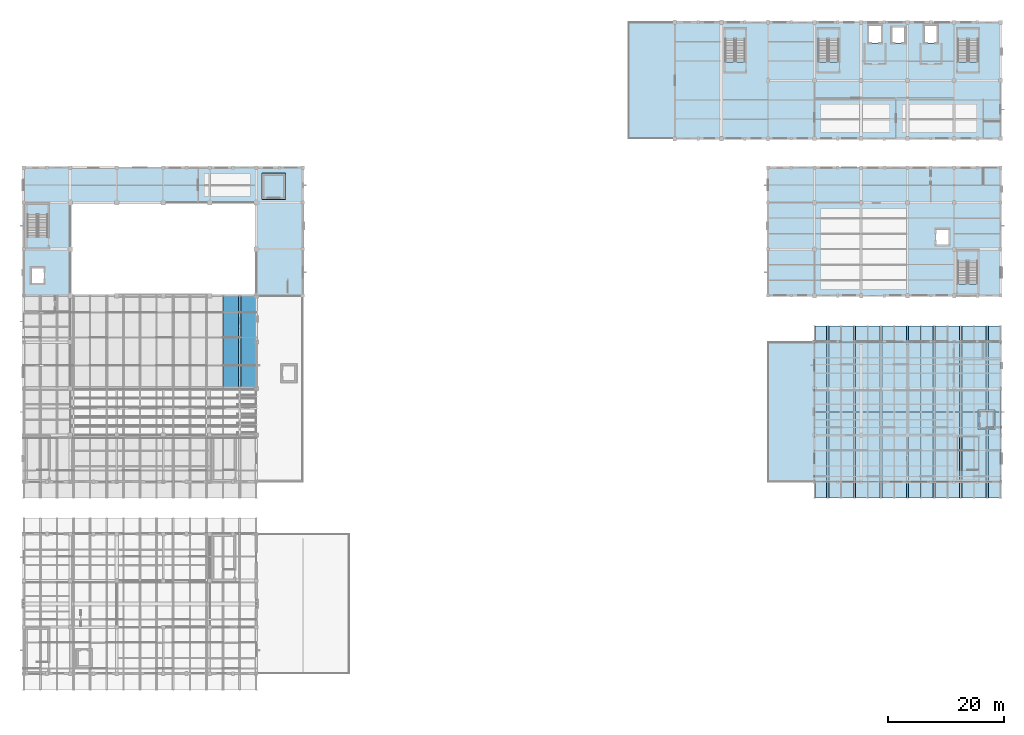
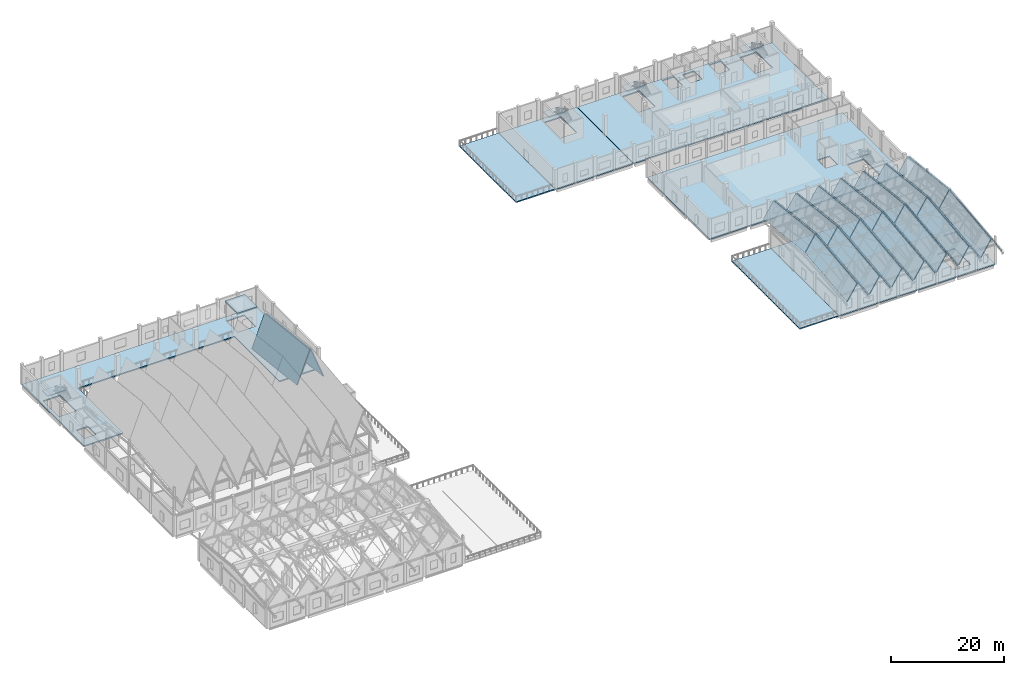
# One storey, part 28 of 77: 44 slabs, 5 elements without a shape of their own.
"""IFC4 building model written with IfcOpenShell, lengths in metres."""

from ifc_helpers import new_model, si_unit, direction, frame, origin, place, context, subcontext, project, spatial, polyline, outline, extrude, material, layer, layer_set, type_object, element, aggregate, save


model = new_model("IFC4")

# Units and contexts
model_context = context("Model", 3, precision=1e-05, world=origin(), true_north=direction((0.0, 1.0)))
body_context = subcontext(model_context, "Body", "Model", "MODEL_VIEW")
ifc_project = project(units=[si_unit("LENGTHUNIT", "METRE"), si_unit("AREAUNIT", "SQUARE_METRE"), si_unit("VOLUMEUNIT", "CUBIC_METRE"), si_unit("PLANEANGLEUNIT", "RADIAN"), si_unit("MASSUNIT", "GRAM", prefix="KILO")], contexts=[model_context])

# Site, building, storey
site_placement = place(None, origin())
site = spatial("IfcSite", under=ifc_project, at=site_placement, CompositionType="ELEMENT")
building_placement = place(site_placement, origin())
building = spatial("IfcBuilding", under=site, at=building_placement, Name="Luwemba Playhouse", CompositionType="ELEMENT")
storey_placement = place(building_placement, frame((0.0, 0.0, 9.300048828125)))
storey = spatial("IfcBuildingStorey", under=building, at=storey_placement, Name="L02", CompositionType="ELEMENT", Elevation=9.300048828125)

# Slabs
ifc_material_1 = material(Name="Concrete C40/50", Category="concrete")
ifc_layer_1 = layer(ifc_material_1, 0.25)
ifc_layer_set_1 = layer_set([ifc_layer_1], Name="Concrete C40/50")
slab_type_1 = type_object("IfcSlabType", Name="SLB-FLR-250", PredefinedType="FLOOR", material=ifc_layer_set_1)
slab_1_placement = place(storey_placement, frame((0.0, 0.0, -0.25)))
element("IfcSlab", 1, at=slab_1_placement, inside=storey, type_object=slab_type_1, Name="L02 V2 structural floor slab", PredefinedType="FLOOR", context=body_context, shape_type="SweptSolid", body=[
    extrude(outline(polyline([(4.0, 90.0), (52.0, 90.0), (52.0, 68.0), (44.0, 68.0), (44.0, 84.0), (12.0, 84.0), (12.0, 68.0), (4.0, 68.0), (4.0, 90.0)]), holes=[polyline([(5.199951171875, 70.0), (7.60009765625, 70.0), (7.60009765625, 72.89990234375), (5.199951171875, 72.89990234375), (5.199951171875, 70.0)]), polyline([(8.14990234375, 78.0400390625), (8.14990234375, 83.659912109375), (4.64990234375, 83.659912109375), (4.64990234375, 78.0400390625), (8.14990234375, 78.0400390625)]), polyline([(45.199951171875, 84.800048828125), (48.800048828125, 84.800048828125), (48.800048828125, 88.800048828125), (45.199951171875, 88.800048828125), (45.199951171875, 84.800048828125)])]), origin(), (0.0, 0.0, 1.0), 0.25),
])
slab_2_placement = place(storey_placement, frame((0.0, 0.0, -0.25)))
element("IfcSlab", 2, at=slab_2_placement, inside=storey, type_object=slab_type_1, Name="L02 V3 structural floor slab", PredefinedType="FLOOR", context=body_context, shape_type="SweptSolid", body=[
    extrude(outline(polyline([(172.0, 60.0), (172.0, 36.0), (140.0, 36.0), (140.0, 60.0), (172.0, 60.0)]), holes=[polyline([(168.14990234375, 43.659912109375), (164.64990234375, 43.659912109375), (164.64990234375, 38.0400390625), (168.14990234375, 38.0400390625), (168.14990234375, 43.659912109375)]), polyline([(170.800048828125, 45.199951171875), (170.800048828125, 48.10009765625), (168.39990234375, 48.10009765625), (168.39990234375, 45.199951171875), (170.800048828125, 45.199951171875)])]), origin(), (0.0, 0.0, 1.0), 0.25),
])
slab_3_placement = place(storey_placement, frame((0.0, 0.0, -0.25)))
element("IfcSlab", 3, at=slab_3_placement, inside=storey, type_object=slab_type_1, Name="L02 V4 structural floor slab", PredefinedType="FLOOR", context=body_context, shape_type="SweptSolid", body=[
    extrude(outline(polyline([(172.0, 90.0), (172.0, 68.0), (132.0, 68.0), (132.0, 90.0), (172.0, 90.0)]), holes=[polyline([(168.050048828125, 75.659912109375), (164.64990234375, 75.659912109375), (164.64990234375, 70.0400390625), (168.050048828125, 70.0400390625), (168.050048828125, 75.659912109375)]), polyline([(163.199951171875, 76.60009765625), (163.199951171875, 79.5), (160.800048828125, 79.5), (160.800048828125, 76.60009765625), (163.199951171875, 76.60009765625)])]), origin(), (0.0, 0.0, 1.0), 0.25),
])
slab_4_placement = place(storey_placement, frame((0.0, 0.0, -0.25)))
element("IfcSlab", 4, at=slab_4_placement, inside=storey, type_object=slab_type_1, Name="L02 V6E structural floor slab-MJ", PredefinedType="FLOOR", context=body_context, shape_type="SweptSolid", body=[
    extrude(outline(polyline([(131.969970703125, 115.0), (131.969970703125, 95.0), (116.0, 95.0), (116.0, 115.0), (131.969970703125, 115.0)]), holes=[polyline([(128.050048828125, 108.199951171875), (128.050048828125, 113.820068359375), (124.64990234375, 113.820068359375), (124.64990234375, 108.199951171875), (128.050048828125, 108.199951171875)])]), origin(), (0.0, 0.0, 1.0), 0.25),
])
slab_5_placement = place(storey_placement, frame((0.0, 0.0, -0.25)))
element("IfcSlab", 5, at=slab_5_placement, inside=storey, type_object=slab_type_1, Name="L02 V6E structural floor slab", PredefinedType="FLOOR", context=body_context, shape_type="SweptSolid", body=[
    extrude(outline(polyline([(172.0, 115.0), (172.0, 95.0), (132.030029296875, 95.0), (132.030029296875, 115.0), (172.0, 115.0)]), holes=[polyline([(140.64990234375, 108.199951171875), (144.14990234375, 108.199951171875), (144.14990234375, 113.820068359375), (140.64990234375, 113.820068359375), (140.64990234375, 108.199951171875)]), polyline([(164.64990234375, 108.199951171875), (168.14990234375, 108.199951171875), (168.14990234375, 113.820068359375), (164.64990234375, 113.820068359375), (164.64990234375, 108.199951171875)]), polyline([(153.199951171875, 111.39990234375), (155.60009765625, 111.39990234375), (155.60009765625, 114.300048828125), (153.199951171875, 114.300048828125), (153.199951171875, 111.39990234375)]), polyline([(149.199951171875, 114.60009765625), (149.199951171875, 111.39990234375), (151.60009765625, 111.39990234375), (151.60009765625, 114.60009765625), (149.199951171875, 114.60009765625)]), polyline([(158.800048828125, 114.60009765625), (158.800048828125, 111.39990234375), (161.199951171875, 111.39990234375), (161.199951171875, 114.60009765625), (158.800048828125, 114.60009765625)])]), origin(), (0.0, 0.0, 1.0), 0.25),
])

# Stair, slab
stair_type_1 = type_object("IfcStairType", Name="STR-DL-04", PredefinedType="HALF_TURN_STAIR", material=ifc_material_1)
stair_1_placement = place(storey_placement, origin())
stair_1 = element("IfcStair", 6, at=stair_1_placement, inside=storey, type_object=stair_type_1, Name="L02 Stage House West Escape Stair", PredefinedType="HALF_TURN_STAIR")
ifc_layer_2 = layer(ifc_material_1, 0.215087890625)
ifc_layer_set_2 = layer_set([ifc_layer_2], Name="Concrete C40/50")
slab_type_2 = type_object("IfcSlabType", Name="SLB-LND-215", PredefinedType="LANDING", material=ifc_layer_set_2)
slab_6_placement = place(storey_placement, frame((0.0, 0.0, 2.050048828125)))
slab_6 = element("IfcSlab", 7, at=slab_6_placement, type_object=slab_type_2, Name="ST-03 landing 1", PredefinedType="LANDING", context=body_context, shape_type="SweptSolid", body=[
    extrude(outline(polyline([(8.2900390625, 81.820068359375), (4.510009765625, 81.820068359375), (4.510009765625, 83.800048828125), (8.2900390625, 83.800048828125), (8.2900390625, 81.820068359375)])), origin(), (0.0, 0.0, 1.0), 0.199951171875),
])
aggregate(stair_1, [slab_6])

stair_type_2 = type_object("IfcStairType", Name="STR-DL-06", PredefinedType="HALF_TURN_STAIR", material=ifc_material_1)
stair_2_placement = place(storey_placement, origin())
stair_2 = element("IfcStair", 8, at=stair_2_placement, inside=storey, type_object=stair_type_2, Name="L02 Black-Box Firefighting Escape Stair", PredefinedType="HALF_TURN_STAIR")
slab_7_placement = place(storey_placement, frame((0.0, 0.0, 2.050048828125)))
slab_7 = element("IfcSlab", 9, at=slab_7_placement, type_object=slab_type_2, Name="ST-07 landing 1", PredefinedType="LANDING", context=body_context, shape_type="SweptSolid", body=[
    extrude(outline(polyline([(168.18994140625, 73.820068359375), (164.510009765625, 73.820068359375), (164.510009765625, 75.800048828125), (168.18994140625, 75.800048828125), (168.18994140625, 73.820068359375)])), origin(), (0.0, 0.0, 1.0), 0.199951171875),
])
aggregate(stair_2, [slab_7])

stair_3_placement = place(storey_placement, origin())
stair_3 = element("IfcStair", 10, at=stair_3_placement, inside=storey, type_object=stair_type_1, Name="L02 Conservatory Firefighting Escape Stair", PredefinedType="HALF_TURN_STAIR")
slab_8_placement = place(storey_placement, frame((0.0, 0.0, 2.050048828125)))
slab_8 = element("IfcSlab", 11, at=slab_8_placement, type_object=slab_type_2, Name="ST-09 landing 1", PredefinedType="LANDING", context=body_context, shape_type="SweptSolid", body=[
    extrude(outline(polyline([(144.2900390625, 111.97998046875), (140.510009765625, 111.97998046875), (140.510009765625, 113.9599609375), (144.2900390625, 113.9599609375), (144.2900390625, 111.97998046875)])), origin(), (0.0, 0.0, 1.0), 0.199951171875),
])
aggregate(stair_3, [slab_8])

stair_4_placement = place(storey_placement, origin())
stair_4 = element("IfcStair", 12, at=stair_4_placement, inside=storey, type_object=stair_type_1, Name="L02 Conservatory East Escape Stair", PredefinedType="HALF_TURN_STAIR")
slab_9_placement = place(storey_placement, frame((0.0, 0.0, 2.050048828125)))
slab_9 = element("IfcSlab", 13, at=slab_9_placement, type_object=slab_type_2, Name="ST-10 landing 1", PredefinedType="LANDING", context=body_context, shape_type="SweptSolid", body=[
    extrude(outline(polyline([(168.2900390625, 111.97998046875), (164.510009765625, 111.97998046875), (164.510009765625, 113.9599609375), (168.2900390625, 113.9599609375), (168.2900390625, 111.97998046875)])), origin(), (0.0, 0.0, 1.0), 0.199951171875),
])
aggregate(stair_4, [slab_9])

stair_5_placement = place(storey_placement, origin())
stair_5 = element("IfcStair", 14, at=stair_5_placement, inside=storey, type_object=stair_type_2, Name="L02 Conservatory West Escape Stair", PredefinedType="HALF_TURN_STAIR")
slab_10_placement = place(storey_placement, frame((0.0, 0.0, 2.050048828125)))
slab_10 = element("IfcSlab", 15, at=slab_10_placement, type_object=slab_type_2, Name="ST-16 landing 1", PredefinedType="LANDING", context=body_context, shape_type="SweptSolid", body=[
    extrude(outline(polyline([(128.18994140625, 111.97998046875), (124.510009765625, 111.97998046875), (124.510009765625, 113.9599609375), (128.18994140625, 113.9599609375), (128.18994140625, 111.97998046875)])), origin(), (0.0, 0.0, 1.0), 0.199951171875),
])
aggregate(stair_5, [slab_10])

# Slabs
ifc_material_2 = material(Name="Concrete C32/40", Category="concrete")
ifc_layer_3 = layer(ifc_material_2, 0.199951171875)
ifc_layer_set_3 = layer_set([ifc_layer_3], Name="Concrete C32/40")
slab_type_3 = type_object("IfcSlabType", Name="SLB-ROOF-200", PredefinedType="ROOF", material=ifc_layer_set_3)
slab_11_placement = place(storey_placement, frame((38.32568359375, 52.06005859375, 10.75146484375), z_axis=(-0.93220282535, 0.040342222635, 0.359680966249), x_axis=(0.359974013471, 0.0, 0.932962330229)))
element("IfcSlab", 16, at=slab_11_placement, inside=storey, type_object=slab_type_3, Name="RF-V1 pleated roof facet 13N", PredefinedType="ROOF", context=body_context, shape_type="SweptSolid", body=[
    extrude(outline(polyline([(0.0, 0.0), (7.266420792508808, 0.0), (5.598431743616359, 15.952928347426106), (-1.667989048892448, 15.952928347426107), (0.0, 0.0)])), origin(), (0.0, 0.0, -1.0), 0.199951171875),
])
slab_12_placement = place(storey_placement, frame((41.344482421875, 52.06005859375, 17.530517578125), z_axis=(0.932207523202, 0.040343594112, 0.359668636525), x_axis=(0.359961702833, -2.43781e-07, -0.932967080069)))
element("IfcSlab", 17, at=slab_12_placement, inside=storey, type_object=slab_type_3, Name="RF-V1 pleated roof facet 14N", PredefinedType="ROOF", context=body_context, shape_type="SweptSolid", body=[
    extrude(outline(polyline([(0.0, 0.0), (7.265877360268832, 2.7755575615628914e-17), (8.934098790442778, 15.952931411265743), (1.6679936550079129, 15.952927865763769), (0.0, 0.0)])), origin(), (0.0, 0.0, -1.0), 0.199951171875),
])
slab_13_placement = place(storey_placement, frame((140.0400390625, 33.199951171875, 4.60986328125), z_axis=(-0.846304719603, -0.059378175191, 0.529379404482), x_axis=(0.53031511393, 0.0, 0.847800613315)))
element("IfcSlab", 18, at=slab_13_placement, inside=storey, type_object=slab_type_3, Name="RF-V3 pleated roof facet 1S", PredefinedType="ROOF", context=body_context, shape_type="SweptSolid", body=[
    extrude(outline(polyline([(0.0, 0.0), (3.8864348801506994, 0.0), (5.288120855094104, 14.766044040054956), (1.4016859749434045, 14.766044040054956), (0.0, 0.0)])), origin(), (0.0, 0.0, -1.0), 0.199951171875),
])
slab_14_placement = place(storey_placement, frame((140.0400390625, 48.06005859375, 6.26318359375), z_axis=(-0.846304719603, 0.059378175191, 0.529379404482), x_axis=(0.53031511393, 0.0, 0.847800613315)))
element("IfcSlab", 19, at=slab_14_placement, inside=storey, type_object=slab_type_3, Name="RF-V3 pleated roof facet 1N", PredefinedType="ROOF", context=body_context, shape_type="SweptSolid", body=[
    extrude(outline(polyline([(0.0, 0.0), (3.8864348801506994, 0.0), (2.4847489052072946, 14.766044040054958), (-1.4016859749434045, 14.766044040054956), (0.0, 0.0)])), origin(), (0.0, 0.0, -1.0), 0.199951171875),
])
slab_15_placement = place(storey_placement, frame((142.47021484375, 33.199951171875, 7.90478515625), z_axis=(0.846276271772, -0.059383212668, 0.529424315543), x_axis=(0.530360263582, 0.0, -0.847772369692)))
element("IfcSlab", 20, at=slab_15_placement, inside=storey, type_object=slab_type_3, Name="RF-V3 pleated roof facet 2S", PredefinedType="ROOF", context=body_context, shape_type="SweptSolid", body=[
    extrude(outline(polyline([(0.0, 0.0), (3.886564357125585, -1.3877787807814457e-17), (2.4849250779378913, 14.766048472635925), (-1.4016392791876937, 14.766048472635925), (0.0, 0.0)])), origin(), (0.0, 0.0, -1.0), 0.199951171875),
])
for number, where, z_axis, x_axis, name in (
    (21, (142.47021484375, 48.06005859375, 9.55810546875), (0.846276271772, 0.059383212668, 0.529424315543), (0.530360263582, 0.0, -0.847772369692), "RF-V3 pleated roof facet 2N"),
    (22, (144.611328125, 33.199951171875, 4.60986328125), (-0.846276271772, -0.059383212668, 0.529424315543), (0.530360263582, 0.0, 0.847772369692), "RF-V3 pleated roof facet 3S"),
):
    element("IfcSlab", number, at=place(storey_placement, frame(where, z_axis=z_axis, x_axis=x_axis)), inside=storey, type_object=slab_type_3, Name=name, PredefinedType="ROOF", context=body_context, shape_type="SweptSolid", body=[
        extrude(outline(polyline([(0.0, 0.0), (3.886564357125585, 1.3877787807814457e-17), (5.288203636313279, 14.766048472635923), (1.4016392791876937, 14.766048472635925), (0.0, 0.0)])), origin(), (0.0, 0.0, -1.0), 0.199951171875),
    ])
slab_16_placement = place(storey_placement, frame((144.611328125, 48.06005859375, 6.26318359375), z_axis=(-0.846276271772, 0.059383212668, 0.529424315543), x_axis=(0.530360263582, 0.0, 0.847772369692)))
element("IfcSlab", 23, at=slab_16_placement, inside=storey, type_object=slab_type_3, Name="RF-V3 pleated roof facet 3N", PredefinedType="ROOF", context=body_context, shape_type="SweptSolid", body=[
    extrude(outline(polyline([(0.0, 0.0), (3.886564357125585, -1.3877787807814457e-17), (2.4849250779378913, 14.766048472635925), (-1.4016392791876937, 14.766048472635925), (0.0, 0.0)])), origin(), (0.0, 0.0, -1.0), 0.199951171875),
])
slab_17_placement = place(storey_placement, frame((147.041748046875, 33.199951171875, 7.90478515625), z_axis=(0.846304719603, -0.059378175191, 0.529379404482), x_axis=(0.53031511393, 0.0, -0.847800613315)))
element("IfcSlab", 24, at=slab_17_placement, inside=storey, type_object=slab_type_3, Name="RF-V3 pleated roof facet 4S", PredefinedType="ROOF", context=body_context, shape_type="SweptSolid", body=[
    extrude(outline(polyline([(0.0, 0.0), (3.8864348801506994, 0.0), (2.4847489052072946, 14.766044040054958), (-1.4016859749434045, 14.766044040054956), (0.0, 0.0)])), origin(), (0.0, 0.0, -1.0), 0.199951171875),
])
for number, where, z_axis, x_axis, name in (
    (25, (147.041748046875, 48.06005859375, 9.55810546875), (0.846304719603, 0.059378175191, 0.529379404482), (0.53031511393, 0.0, -0.847800613315), "RF-V3 pleated roof facet 4N"),
    (26, (149.182861328125, 33.199951171875, 4.60986328125), (-0.846304719603, -0.059378175191, 0.529379404482), (0.53031511393, 0.0, 0.847800613315), "RF-V3 pleated roof facet 5S"),
):
    element("IfcSlab", number, at=place(storey_placement, frame(where, z_axis=z_axis, x_axis=x_axis)), inside=storey, type_object=slab_type_3, Name=name, PredefinedType="ROOF", context=body_context, shape_type="SweptSolid", body=[
        extrude(outline(polyline([(0.0, 0.0), (3.8864348801506994, 0.0), (5.288120855094104, 14.766044040054956), (1.4016859749434045, 14.766044040054956), (0.0, 0.0)])), origin(), (0.0, 0.0, -1.0), 0.199951171875),
    ])
for number, where, z_axis, x_axis, name in (
    (27, (149.182861328125, 48.06005859375, 6.26318359375), (-0.846304719603, 0.059378175191, 0.529379404482), (0.53031511393, 0.0, 0.847800613315), "RF-V3 pleated roof facet 5N"),
    (28, (151.61328125, 33.199951171875, 7.90478515625), (0.846304719603, -0.059378175191, 0.529379404482), (0.53031511393, 0.0, -0.847800613315), "RF-V3 pleated roof facet 6S"),
):
    element("IfcSlab", number, at=place(storey_placement, frame(where, z_axis=z_axis, x_axis=x_axis)), inside=storey, type_object=slab_type_3, Name=name, PredefinedType="ROOF", context=body_context, shape_type="SweptSolid", body=[
        extrude(outline(polyline([(0.0, 0.0), (3.8864348801506994, 0.0), (2.4847489052072946, 14.766044040054958), (-1.4016859749434045, 14.766044040054956), (0.0, 0.0)])), origin(), (0.0, 0.0, -1.0), 0.199951171875),
    ])
for number, where, z_axis, x_axis, name in (
    (29, (151.61328125, 48.06005859375, 9.55810546875), (0.846304719603, 0.059378175191, 0.529379404482), (0.53031511393, 0.0, -0.847800613315), "RF-V3 pleated roof facet 6N"),
    (30, (153.75439453125, 33.199951171875, 4.60986328125), (-0.846304719603, -0.059378175191, 0.529379404482), (0.53031511393, 0.0, 0.847800613315), "RF-V3 pleated roof facet 7S"),
):
    element("IfcSlab", number, at=place(storey_placement, frame(where, z_axis=z_axis, x_axis=x_axis)), inside=storey, type_object=slab_type_3, Name=name, PredefinedType="ROOF", context=body_context, shape_type="SweptSolid", body=[
        extrude(outline(polyline([(0.0, 0.0), (3.8864348801506994, 0.0), (5.288120855094104, 14.766044040054956), (1.4016859749434045, 14.766044040054956), (0.0, 0.0)])), origin(), (0.0, 0.0, -1.0), 0.199951171875),
    ])
for number, where, z_axis, x_axis, name in (
    (31, (153.75439453125, 48.06005859375, 6.26318359375), (-0.846304719603, 0.059378175191, 0.529379404482), (0.53031511393, 0.0, 0.847800613315), "RF-V3 pleated roof facet 7N"),
    (32, (156.1845703125, 33.199951171875, 7.90478515625), (0.846304719603, -0.059378175191, 0.529379404482), (0.53031511393, 0.0, -0.847800613315), "RF-V3 pleated roof facet 8S"),
):
    element("IfcSlab", number, at=place(storey_placement, frame(where, z_axis=z_axis, x_axis=x_axis)), inside=storey, type_object=slab_type_3, Name=name, PredefinedType="ROOF", context=body_context, shape_type="SweptSolid", body=[
        extrude(outline(polyline([(0.0, 0.0), (3.8864348801506994, 0.0), (2.4847489052072946, 14.766044040054958), (-1.4016859749434045, 14.766044040054956), (0.0, 0.0)])), origin(), (0.0, 0.0, -1.0), 0.199951171875),
    ])
for number, where, z_axis, x_axis, name in (
    (33, (156.1845703125, 48.06005859375, 9.55810546875), (0.846304719603, 0.059378175191, 0.529379404482), (0.53031511393, 0.0, -0.847800613315), "RF-V3 pleated roof facet 8N"),
    (34, (158.32568359375, 33.199951171875, 4.60986328125), (-0.846304719603, -0.059378175191, 0.529379404482), (0.53031511393, 0.0, 0.847800613315), "RF-V3 pleated roof facet 9S"),
):
    element("IfcSlab", number, at=place(storey_placement, frame(where, z_axis=z_axis, x_axis=x_axis)), inside=storey, type_object=slab_type_3, Name=name, PredefinedType="ROOF", context=body_context, shape_type="SweptSolid", body=[
        extrude(outline(polyline([(0.0, 0.0), (3.8864348801506994, 0.0), (5.288120855094104, 14.766044040054956), (1.4016859749434045, 14.766044040054956), (0.0, 0.0)])), origin(), (0.0, 0.0, -1.0), 0.199951171875),
    ])
for number, where, z_axis, x_axis, name in (
    (35, (158.32568359375, 48.06005859375, 6.26318359375), (-0.846304719603, 0.059378175191, 0.529379404482), (0.53031511393, 0.0, 0.847800613315), "RF-V3 pleated roof facet 9N"),
    (36, (160.756103515625, 33.199951171875, 7.90478515625), (0.846304719603, -0.059378175191, 0.529379404482), (0.53031511393, 0.0, -0.847800613315), "RF-V3 pleated roof facet 10S"),
):
    element("IfcSlab", number, at=place(storey_placement, frame(where, z_axis=z_axis, x_axis=x_axis)), inside=storey, type_object=slab_type_3, Name=name, PredefinedType="ROOF", context=body_context, shape_type="SweptSolid", body=[
        extrude(outline(polyline([(0.0, 0.0), (3.8864348801506994, 0.0), (2.4847489052072946, 14.766044040054958), (-1.4016859749434045, 14.766044040054956), (0.0, 0.0)])), origin(), (0.0, 0.0, -1.0), 0.199951171875),
    ])
for number, where, z_axis, x_axis, name in (
    (37, (160.756103515625, 48.06005859375, 9.55810546875), (0.846304719603, 0.059378175191, 0.529379404482), (0.53031511393, 0.0, -0.847800613315), "RF-V3 pleated roof facet 10N"),
    (38, (162.897216796875, 33.199951171875, 4.60986328125), (-0.846304719603, -0.059378175191, 0.529379404482), (0.53031511393, 0.0, 0.847800613315), "RF-V3 pleated roof facet 11S"),
):
    element("IfcSlab", number, at=place(storey_placement, frame(where, z_axis=z_axis, x_axis=x_axis)), inside=storey, type_object=slab_type_3, Name=name, PredefinedType="ROOF", context=body_context, shape_type="SweptSolid", body=[
        extrude(outline(polyline([(0.0, 0.0), (3.8864348801506994, 0.0), (5.288120855094104, 14.766044040054956), (1.4016859749434045, 14.766044040054956), (0.0, 0.0)])), origin(), (0.0, 0.0, -1.0), 0.199951171875),
    ])
slab_18_placement = place(storey_placement, frame((162.897216796875, 48.06005859375, 6.26318359375), z_axis=(-0.846304719603, 0.059378175191, 0.529379404482), x_axis=(0.53031511393, 0.0, 0.847800613315)))
element("IfcSlab", 39, at=slab_18_placement, inside=storey, type_object=slab_type_3, Name="RF-V3 pleated roof facet 11N", PredefinedType="ROOF", context=body_context, shape_type="SweptSolid", body=[
    extrude(outline(polyline([(0.0, 0.0), (3.8864348801506994, 0.0), (2.4847489052072946, 14.766044040054958), (-1.4016859749434045, 14.766044040054956), (0.0, 0.0)])), origin(), (0.0, 0.0, -1.0), 0.199951171875),
])
slab_19_placement = place(storey_placement, frame((165.327392578125, 33.199951171875, 7.90478515625), z_axis=(0.846276271772, -0.059383212668, 0.529424315543), x_axis=(0.530360263582, 0.0, -0.847772369692)))
element("IfcSlab", 40, at=slab_19_placement, inside=storey, type_object=slab_type_3, Name="RF-V3 pleated roof facet 12S", PredefinedType="ROOF", context=body_context, shape_type="SweptSolid", body=[
    extrude(outline(polyline([(0.0, 0.0), (3.886564357125585, -1.3877787807814457e-17), (2.4849250779378913, 14.766048472635925), (-1.4016392791876937, 14.766048472635925), (0.0, 0.0)])), origin(), (0.0, 0.0, -1.0), 0.199951171875),
])
for number, where, z_axis, x_axis, name in (
    (41, (165.327392578125, 48.06005859375, 9.55810546875), (0.846276271772, 0.059383212668, 0.529424315543), (0.530360263582, 0.0, -0.847772369692), "RF-V3 pleated roof facet 12N"),
    (42, (167.468505859375, 33.199951171875, 4.60986328125), (-0.846276271772, -0.059383212668, 0.529424315543), (0.530360263582, 0.0, 0.847772369692), "RF-V3 pleated roof facet 13S"),
):
    element("IfcSlab", number, at=place(storey_placement, frame(where, z_axis=z_axis, x_axis=x_axis)), inside=storey, type_object=slab_type_3, Name=name, PredefinedType="ROOF", context=body_context, shape_type="SweptSolid", body=[
        extrude(outline(polyline([(0.0, 0.0), (3.886564357125585, 1.3877787807814457e-17), (5.288203636313279, 14.766048472635923), (1.4016392791876937, 14.766048472635925), (0.0, 0.0)])), origin(), (0.0, 0.0, -1.0), 0.199951171875),
    ])
slab_20_placement = place(storey_placement, frame((167.468505859375, 48.06005859375, 6.26318359375), z_axis=(-0.846276271772, 0.059383212668, 0.529424315543), x_axis=(0.530360263582, 0.0, 0.847772369692)))
element("IfcSlab", 43, at=slab_20_placement, inside=storey, type_object=slab_type_3, Name="RF-V3 pleated roof facet 13N", PredefinedType="ROOF", context=body_context, shape_type="SweptSolid", body=[
    extrude(outline(polyline([(0.0, 0.0), (3.886564357125585, -1.3877787807814457e-17), (2.4849250779378913, 14.766048472635925), (-1.4016392791876937, 14.766048472635925), (0.0, 0.0)])), origin(), (0.0, 0.0, -1.0), 0.199951171875),
])
slab_21_placement = place(storey_placement, frame((169.89892578125, 33.199951171875, 7.90478515625), z_axis=(0.846304719603, -0.059378175191, 0.529379404482), x_axis=(0.53031511393, 0.0, -0.847800613315)))
element("IfcSlab", 44, at=slab_21_placement, inside=storey, type_object=slab_type_3, Name="RF-V3 pleated roof facet 14S", PredefinedType="ROOF", context=body_context, shape_type="SweptSolid", body=[
    extrude(outline(polyline([(0.0, 0.0), (3.8864348801506994, 0.0), (2.4847489052072946, 14.766044040054958), (-1.4016859749434045, 14.766044040054956), (0.0, 0.0)])), origin(), (0.0, 0.0, -1.0), 0.199951171875),
])
slab_22_placement = place(storey_placement, frame((169.89892578125, 48.06005859375, 9.55810546875), z_axis=(0.846304719603, 0.059378175191, 0.529379404482), x_axis=(0.53031511393, 0.0, -0.847800613315)))
element("IfcSlab", 45, at=slab_22_placement, inside=storey, type_object=slab_type_3, Name="RF-V3 pleated roof facet 14N", PredefinedType="ROOF", context=body_context, shape_type="SweptSolid", body=[
    extrude(outline(polyline([(0.0, 0.0), (3.8864348801506994, 0.0), (5.288120855094104, 14.766044040054956), (1.4016859749434045, 14.766044040054956), (0.0, 0.0)])), origin(), (0.0, 0.0, -1.0), 0.199951171875),
])
ifc_layer_4 = layer(ifc_material_1, 0.22998046875)
ifc_layer_set_4 = layer_set([ifc_layer_4], Name="Concrete C40/50")
slab_type_4 = type_object("IfcSlabType", Name="SLB-UPP-230", PredefinedType="FLOOR", material=ifc_layer_set_4)
slab_23_placement = place(storey_placement, frame((0.0, 0.0, -0.22998046875)))
element("IfcSlab", 46, at=slab_23_placement, inside=storey, type_object=slab_type_4, Name="L02 Studio Cloister Terrace", PredefinedType="FLOOR", context=body_context, shape_type="SweptSolid", body=[
    extrude(outline(polyline([(132.030029296875, 36.0), (140.0, 36.0), (140.0, 60.0), (132.030029296875, 60.0), (132.030029296875, 36.0)])), origin(), (0.0, 0.0, 1.0), 0.22998046875),
])
slab_24_placement = place(storey_placement, frame((0.0, 0.0, -0.22998046875)))
element("IfcSlab", 47, at=slab_24_placement, inside=storey, type_object=slab_type_4, Name="L02 Conservatory Terrace Level 2", PredefinedType="FLOOR", context=body_context, shape_type="SweptSolid", body=[
    extrude(outline(polyline([(108.0, 95.0), (116.0, 95.0), (116.0, 115.0), (108.0, 115.0), (108.0, 95.0)])), origin(), (0.0, 0.0, 1.0), 0.22998046875),
])
slab_25_placement = place(storey_placement, frame((0.0, 0.0, 4.02001953125)))
element("IfcSlab", 48, at=slab_25_placement, inside=storey, type_object=slab_type_4, Name="Lift LF-P3 overrun cap slab", PredefinedType="FLOOR", context=body_context, shape_type="SweptSolid", body=[
    extrude(outline(polyline([(168.14990234375, 44.949951171875), (171.050048828125, 44.949951171875), (171.050048828125, 48.35009765625), (168.14990234375, 48.35009765625), (168.14990234375, 44.949951171875)])), origin(), (0.0, 0.0, 1.0), 0.22998046875),
])
slab_26_placement = place(storey_placement, frame((0.0, 0.0, 4.0400390625)))
element("IfcSlab", 49, at=slab_26_placement, inside=storey, type_object=slab_type_4, Name="Lift LF-G1 overrun cap slab", PredefinedType="FLOOR", context=body_context, shape_type="SweptSolid", body=[
    extrude(outline(polyline([(44.949951171875, 84.550048828125), (49.050048828125, 84.550048828125), (49.050048828125, 89.050048828125), (44.949951171875, 89.050048828125), (44.949951171875, 84.550048828125)])), origin(), (0.0, 0.0, 1.0), 0.22998046875),
])

save(model, "model.ifc")
